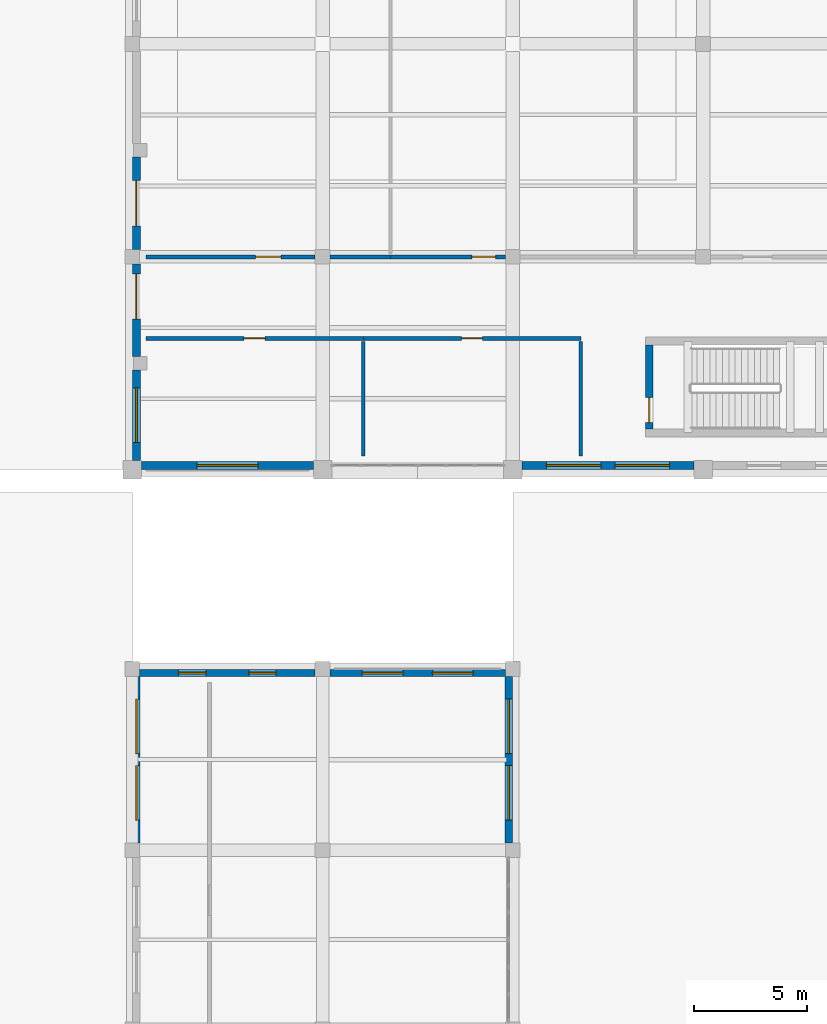
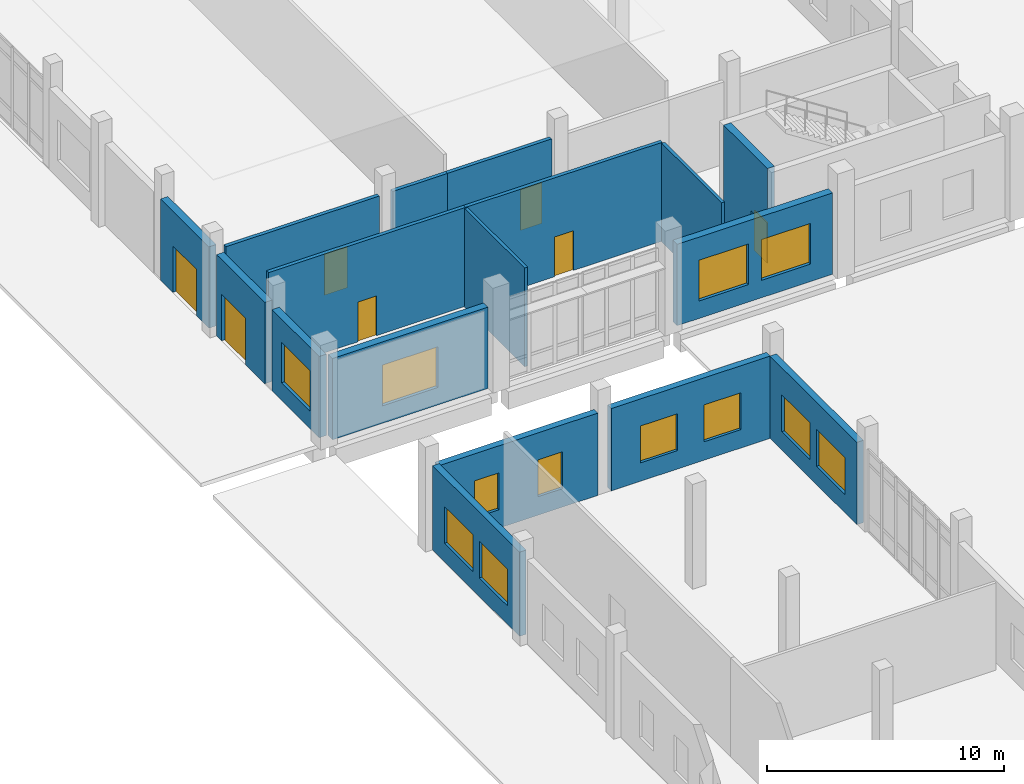
# One storey, part 56 of 79: 17 walls, 12 windows, 7 doors, 19 openings.
"""IFC4 building model written with IfcOpenShell, lengths in metres."""

from ifc_helpers import new_model, si_unit, direction, frame, frame_2d, origin, place, context, subcontext, project, spatial, rectangle, extrude, material, layer, layer_set, type_object, element, fill, save


model = new_model("IFC4")

# Units and contexts
model_context = context("Model", 3, precision=1e-05, world=origin(), true_north=direction((0.0, 1.0)))
body_context = subcontext(model_context, "Body", "Model", "MODEL_VIEW")
ifc_project = project(units=[si_unit("LENGTHUNIT", "METRE"), si_unit("AREAUNIT", "SQUARE_METRE"), si_unit("VOLUMEUNIT", "CUBIC_METRE"), si_unit("PLANEANGLEUNIT", "RADIAN"), si_unit("MASSUNIT", "GRAM", prefix="KILO")], contexts=[model_context])

# Site, building, storey
site_placement = place(None, origin())
site = spatial("IfcSite", under=ifc_project, at=site_placement, CompositionType="ELEMENT")
building_placement = place(site_placement, origin())
building = spatial("IfcBuilding", under=site, at=building_placement, Name="Kelarvand Opera House", CompositionType="ELEMENT")
storey_placement = place(building_placement, origin())
storey = spatial("IfcBuildingStorey", under=building, at=storey_placement, Name="L00", CompositionType="ELEMENT", Elevation=0.0)

# Walls
ifc_material_1 = material(Name="Acoustic double-stud gypsum partition")
ifc_layer_1 = layer(ifc_material_1, 0.14990234375, Name="Acoustic double-stud gypsum partition")
ifc_layer_set_1 = layer_set([ifc_layer_1], Name="Acoustic double-stud gypsum partition")
wall_type_1 = type_object("IfcWallType", Name="Acoustic Room Partition Wall 150", PredefinedType="PARTITIONING", material=ifc_layer_set_1)
for number, where, z_axis, x_axis, name in (
    (1, (19.199951171875, 87.800048828125, 0.0), (0.0, 0.0, 1.0), (0.0, 1.0, 0.0), "V3 L00 Partition Wall IW-150 (284)"),
    (2, (28.800048828125, 87.800048828125, 0.0), (0.0, 0.0, 1.0), (0.0, 1.0, 0.0), "V3 L00 Partition Wall IW-150 (285)"),
):
    element("IfcWall", number, at=place(storey_placement, frame(where, z_axis=z_axis, x_axis=x_axis)), inside=storey, type_object=wall_type_1, Name=name, PredefinedType="PARTITIONING", context=body_context, shape_type="SweptSolid", body=[
        extrude(rectangle(XDim=5.06005859375, YDim=0.14990234375, at=frame_2d((2.530029296875, 0.0))), origin(), (0.0, 0.0, 1.0), 5.092041015625),
    ])

# Wall, opening, window
ifc_material_2 = material(Name="Concrete C35/45", Category="concrete")
ifc_layer_2 = layer(ifc_material_2, 0.360107421875, Name="Concrete C35/45", Category="concrete")
ifc_layer_set_2 = layer_set([ifc_layer_2], Name="Concrete C35/45")
wall_type_2 = type_object("IfcWallType", Name="Azarshahr Travertine Cavity Wall 360", PredefinedType="SOLIDWALL", material=ifc_layer_set_2)
wall_1_placement = place(storey_placement, frame((9.179931640625, 87.610107421875, 0.0), z_axis=(0.0, 0.0, 1.0), x_axis=(0.0, 1.0, 0.0)))
wall_1 = element("IfcWall", 3, at=wall_1_placement, inside=storey, type_object=wall_type_2, Name="V3 L00 Exterior Wall EW-360 (397)", PredefinedType="SOLIDWALL", context=body_context, shape_type="SweptSolid", body=[
    extrude(rectangle(XDim=3.989990234375, YDim=0.360107421875, at=frame_2d((1.9951171875, 0.0))), origin(), (0.0, 0.0, 1.0), 4.19189453125),
])
opening_1_placement = place(wall_1_placement, frame((0.794921875, 0.0, 0.89990234375)))
opening_1 = element("IfcOpeningElement", 4, at=opening_1_placement, cuts=wall_1, Name="Opening WN-07", PredefinedType="OPENING", context=body_context, shape_type="SweptSolid", body=[
    extrude(rectangle(XDim=2.39990234375, YDim=2.10009765625, at=frame_2d((1.199951171875, 1.050048828125))), frame((0.0, 0.18994140625, 0.0), z_axis=(0.0, -1.0, 0.0), x_axis=(1.0, 0.0, 0.0)), (0.0, 0.0, 1.0), 0.380126953125),
])
ifc_material_3 = material(Name="Thermally broken aluminium and low-E double glazing", Category="aluminium")
window_type_1 = type_object("IfcWindowType", Name="Recessed Aluminium Thermal Window 2400x2100 WN-07", PartitioningType="SINGLE_PANEL", PredefinedType="WINDOW", material=ifc_material_3)
window_1_placement = place(opening_1_placement, origin())
window_1 = element("IfcWindow", 5, at=window_1_placement, inside=storey, type_object=window_type_1, Name="V3 L00 Facade Window WN-07 (148)", OverallHeight=2.10009765625, OverallWidth=2.39990234375, PartitioningType="SINGLE_PANEL", PredefinedType="WINDOW", context=body_context, shape_type="SweptSolid", body=[
    extrude(rectangle(XDim=2.39990234375, YDim=2.10009765625, at=frame_2d((1.199951171875, 1.050048828125))), frame((0.0, 0.030029296875, 0.0), z_axis=(0.0, -1.0, 0.0), x_axis=(1.0, 0.0, 0.0)), (0.0, 0.0, 1.0), 0.06005859375),
])
fill(opening_1, window_1)

# Wall, opening, door
wall_2_placement = place(storey_placement, frame((9.179931640625, 92.199951171875, 0.0), z_axis=(0.0, 0.0, 1.0), x_axis=(0.0, 1.0, 0.0)))
wall_2 = element("IfcWall", 6, at=wall_2_placement, inside=storey, type_object=wall_type_2, Name="V3 L00 Exterior Wall EW-360 (398)", PredefinedType="SOLIDWALL", context=body_context, shape_type="SweptSolid", body=[
    extrude(rectangle(XDim=4.074951171875, YDim=0.360107421875, at=frame_2d((2.03759765625, 0.0))), origin(), (0.0, 0.0, 1.0), 4.19189453125),
])
opening_2_placement = place(wall_2_placement, frame((1.64892578125, 0.0, 0.0)))
opening_2 = element("IfcOpeningElement", 7, at=opening_2_placement, cuts=wall_2, Name="Opening EX-200", PredefinedType="OPENING", context=body_context, shape_type="SweptSolid", body=[
    extrude(rectangle(XDim=2.0, YDim=2.39990234375, at=frame_2d((1.0, 1.199951171875))), frame((0.0, 0.18994140625, 0.0), z_axis=(0.0, -1.0, 0.0), x_axis=(1.0, 0.0, 0.0)), (0.0, 0.0, 1.0), 0.380126953125),
])
ifc_material_4 = material(Name="Thermally broken bronze-anodised aluminium and safety glass", Category="aluminium")
door_type_1 = type_object("IfcDoorType", Name="Protected Stair Double Final Exit Door 2000x2400", OperationType="NOTDEFINED", PredefinedType="DOOR", material=ifc_material_4)
door_1_placement = place(opening_2_placement, origin())
door_1 = element("IfcDoor", 8, at=door_1_placement, inside=storey, type_object=door_type_1, Name="V3 Ground Final Exit Door E10", OperationType="DOUBLE_DOOR_SINGLE_SWING", OverallHeight=2.39990234375, OverallWidth=2.0, PredefinedType="DOOR", context=body_context, shape_type="SweptSolid", body=[
    extrude(rectangle(XDim=2.0, YDim=2.39990234375, at=frame_2d((1.0, 1.199951171875))), frame((0.0, 0.02490234375, 0.0), z_axis=(0.0, -1.0, 0.0), x_axis=(1.0, 0.0, 0.0)), (0.0, 0.0, 1.0), 0.050048828125),
])
fill(opening_2, door_1)

wall_3_placement = place(storey_placement, frame((9.179931640625, 96.925048828125, 0.0), z_axis=(0.0, 0.0, 1.0), x_axis=(0.0, 1.0, 0.0)))
wall_3 = element("IfcWall", 9, at=wall_3_placement, inside=storey, type_object=wall_type_2, Name="V3 L00 Exterior Wall EW-360 (399)", PredefinedType="SOLIDWALL", context=body_context, shape_type="SweptSolid", body=[
    extrude(rectangle(XDim=4.074951171875, YDim=0.360107421875, at=frame_2d((2.03759765625, 0.0))), origin(), (0.0, 0.0, 1.0), 4.19189453125),
])
opening_3_placement = place(wall_3_placement, frame((1.0380859375, 0.0, 0.0)))
opening_3 = element("IfcOpeningElement", 10, at=opening_3_placement, cuts=wall_3, Name="Opening EX-200", PredefinedType="OPENING", context=body_context, shape_type="SweptSolid", body=[
    extrude(rectangle(XDim=2.0, YDim=2.39990234375, at=frame_2d((1.0, 1.199951171875))), frame((0.0, 0.18994140625, 0.0), z_axis=(0.0, -1.0, 0.0), x_axis=(1.0, 0.0, 0.0)), (0.0, 0.0, 1.0), 0.380126953125),
])
door_2_placement = place(opening_3_placement, origin())
door_2 = element("IfcDoor", 11, at=door_2_placement, inside=storey, type_object=door_type_1, Name="V3 Ground Final Exit Door E15", OperationType="DOUBLE_DOOR_SINGLE_SWING", OverallHeight=2.39990234375, OverallWidth=2.0, PredefinedType="DOOR", context=body_context, shape_type="SweptSolid", body=[
    extrude(rectangle(XDim=2.0, YDim=2.39990234375, at=frame_2d((1.0, 1.199951171875))), frame((0.0, 0.02490234375, 0.0), z_axis=(0.0, -1.0, 0.0), x_axis=(1.0, 0.0, 0.0)), (0.0, 0.0, 1.0), 0.050048828125),
])
fill(opening_3, door_2)

# Wall, openings, windows
wall_4_placement = place(storey_placement, frame((33.7900390625, 87.3798828125, 0.0), z_axis=(0.0, 0.0, 1.0), x_axis=(-1.0, 0.0, 0.0)))
wall_4 = element("IfcWall", 12, at=wall_4_placement, inside=storey, type_object=wall_type_2, Name="V3 L00 Exterior Wall EW-360 (404)", PredefinedType="SOLIDWALL", context=body_context, shape_type="SweptSolid", body=[
    extrude(rectangle(XDim=7.580078125, YDim=0.360107421875, at=frame_2d((3.7900390625, 0.0))), origin(), (0.0, 0.0, 1.0), 4.19189453125),
])
opening_4_placement = place(wall_4_placement, frame((1.073974609375, 0.0, 0.89990234375)))
opening_4 = element("IfcOpeningElement", 13, at=opening_4_placement, cuts=wall_4, Name="Opening WN-07", PredefinedType="OPENING", context=body_context, shape_type="SweptSolid", body=[
    extrude(rectangle(XDim=2.39990234375, YDim=2.10009765625, at=frame_2d((1.199951171875, 1.050048828125))), frame((0.0, 0.18994140625, 0.0), z_axis=(0.0, -1.0, 0.0), x_axis=(1.0, 0.0, 0.0)), (0.0, 0.0, 1.0), 0.380126953125),
])
opening_5_placement = place(wall_4_placement, frame((4.10595703125, 0.0, 0.89990234375)))
opening_5 = element("IfcOpeningElement", 14, at=opening_5_placement, cuts=wall_4, Name="Opening WN-07", PredefinedType="OPENING", context=body_context, shape_type="SweptSolid", body=[
    extrude(rectangle(XDim=2.39990234375, YDim=2.10009765625, at=frame_2d((1.199951171875, 1.050048828125))), frame((0.0, 0.18994140625, 0.0), z_axis=(0.0, -1.0, 0.0), x_axis=(1.0, 0.0, 0.0)), (0.0, 0.0, 1.0), 0.380126953125),
])
window_2_placement = place(opening_4_placement, origin())
window_2 = element("IfcWindow", 15, at=window_2_placement, inside=storey, type_object=window_type_1, Name="V3 L00 Facade Window WN-07 (153)", OverallHeight=2.10009765625, OverallWidth=2.39990234375, PartitioningType="SINGLE_PANEL", PredefinedType="WINDOW", context=body_context, shape_type="SweptSolid", body=[
    extrude(rectangle(XDim=2.39990234375, YDim=2.10009765625, at=frame_2d((1.199951171875, 1.050048828125))), frame((0.0, 0.030029296875, 0.0), z_axis=(0.0, -1.0, 0.0), x_axis=(1.0, 0.0, 0.0)), (0.0, 0.0, 1.0), 0.06005859375),
])
fill(opening_4, window_2)
window_3_placement = place(opening_5_placement, origin())
window_3 = element("IfcWindow", 16, at=window_3_placement, inside=storey, type_object=window_type_1, Name="V3 L00 Facade Window WN-07 (154)", OverallHeight=2.10009765625, OverallWidth=2.39990234375, PartitioningType="SINGLE_PANEL", PredefinedType="WINDOW", context=body_context, shape_type="SweptSolid", body=[
    extrude(rectangle(XDim=2.39990234375, YDim=2.10009765625, at=frame_2d((1.199951171875, 1.050048828125))), frame((0.0, 0.030029296875, 0.0), z_axis=(0.0, -1.0, 0.0), x_axis=(1.0, 0.0, 0.0)), (0.0, 0.0, 1.0), 0.06005859375),
])
fill(opening_5, window_3)

# Wall, opening, window
wall_5_placement = place(storey_placement, frame((16.989990234375, 87.3798828125, 0.0), z_axis=(0.0, 0.0, 1.0), x_axis=(-1.0, 0.0, 0.0)))
wall_5 = element("IfcWall", 17, at=wall_5_placement, inside=storey, type_object=wall_type_2, Name="V3 L00 Exterior Wall EW-360 (405)", PredefinedType="SOLIDWALL", context=body_context, shape_type="SweptSolid", body=[
    extrude(rectangle(XDim=7.580078125, YDim=0.360107421875, at=frame_2d((3.7900390625, 0.0))), origin(), (0.0, 0.0, 1.0), 4.19189453125),
])
opening_6_placement = place(wall_5_placement, frame((2.43994140625, 0.0, 0.89990234375)))
opening_6 = element("IfcOpeningElement", 18, at=opening_6_placement, cuts=wall_5, Name="Opening WN-08", PredefinedType="OPENING", context=body_context, shape_type="SweptSolid", body=[
    extrude(rectangle(XDim=2.699951171875, YDim=2.10009765625, at=frame_2d((1.35009765625, 1.050048828125))), frame((0.0, 0.18994140625, 0.0), z_axis=(0.0, -1.0, 0.0), x_axis=(1.0, 0.0, 0.0)), (0.0, 0.0, 1.0), 0.380126953125),
])
window_type_2 = type_object("IfcWindowType", Name="Recessed Aluminium Thermal Window 2700x2100 WN-08", PartitioningType="SINGLE_PANEL", PredefinedType="WINDOW", material=ifc_material_3)
window_4_placement = place(opening_6_placement, origin())
window_4 = element("IfcWindow", 19, at=window_4_placement, inside=storey, type_object=window_type_2, Name="V3 L00 Facade Window WN-08 (155)", OverallHeight=2.10009765625, OverallWidth=2.699951171875, PartitioningType="SINGLE_PANEL", PredefinedType="WINDOW", context=body_context, shape_type="SweptSolid", body=[
    extrude(rectangle(XDim=2.699951171875, YDim=2.10009765625, at=frame_2d((1.35009765625, 1.050048828125))), frame((0.0, 0.030029296875, 0.0), z_axis=(0.0, -1.0, 0.0), x_axis=(1.0, 0.0, 0.0)), (0.0, 0.0, 1.0), 0.06005859375),
])
fill(opening_6, window_4)

# Wall, opening, door
ifc_material_5 = material(Name="Concrete C40/50", Category="concrete")
ifc_layer_3 = layer(ifc_material_5, 0.35009765625, Name="Concrete C40/50", Category="concrete")
ifc_layer_set_3 = layer_set([ifc_layer_3], Name="Concrete C40/50")
wall_type_3 = type_object("IfcWallType", Name="Core Stair and Lift Shear Wall 350", PredefinedType="SHEAR", material=ifc_layer_set_3)
wall_6_placement = place(storey_placement, frame((31.824951171875, 89.0, 0.0), z_axis=(0.0, 0.0, 1.0), x_axis=(0.0, 1.0, 0.0)))
wall_6 = element("IfcWall", 20, at=wall_6_placement, inside=storey, type_object=wall_type_3, Name="C5 Stair Core Shear Wall W L00", PredefinedType="SHEAR", context=body_context, shape_type="SweptSolid", body=[
    extrude(rectangle(XDim=3.699951171875, YDim=0.35009765625, at=frame_2d((1.85009765625, 0.0))), origin(), (0.0, 0.0, 1.0), 5.10009765625),
])
opening_7_placement = place(wall_6_placement, frame((0.280029296875, 0.0, 0.0)))
opening_7 = element("IfcOpeningElement", 21, at=opening_7_placement, cuts=wall_6, Name="Opening FD-01", PredefinedType="OPENING", context=body_context, shape_type="SweptSolid", body=[
    extrude(rectangle(XDim=1.10009765625, YDim=2.080078125, at=frame_2d((0.550048828125, 1.0400390625))), frame((0.0, 0.18505859375, 0.0), z_axis=(0.0, -1.0, 0.0), x_axis=(1.0, 0.0, 0.0)), (0.0, 0.0, 1.0), 0.3701171875),
])
ifc_material_6 = material(Name="Fire-rated brushed stainless steel", Category="steel")
door_type_2 = type_object("IfcDoorType", Name="Steel Fire-Rated Stair and FF Lobby Door 1100x2080", OperationType="NOTDEFINED", PredefinedType="DOOR", material=ifc_material_6)
door_3_placement = place(opening_7_placement, origin())
door_3 = element("IfcDoor", 22, at=door_3_placement, inside=storey, type_object=door_type_2, Name="C5 Stair ST-05 Fire Door L00", OperationType="SINGLE_SWING_RIGHT", OverallHeight=2.080078125, OverallWidth=1.10009765625, PredefinedType="DOOR", context=body_context, shape_type="SweptSolid", body=[
    extrude(rectangle(XDim=1.10009765625, YDim=2.080078125, at=frame_2d((0.550048828125, 1.0400390625))), frame((0.0, 0.02490234375, 0.0), z_axis=(0.0, -1.0, 0.0), x_axis=(1.0, 0.0, 0.0)), (0.0, 0.0, 1.0), 0.050048828125),
])
fill(opening_7, door_3)

ifc_layer_4 = layer(ifc_material_2, 0.179931640625, Name="Concrete C35/45", Category="concrete")
ifc_layer_set_4 = layer_set([ifc_layer_4], Name="Concrete C35/45")
wall_type_4 = type_object("IfcWallType", Name="Corridor Fire-Rated Partition Wall 180 EI90", PredefinedType="PARTITIONING", material=ifc_layer_set_4)
wall_7_placement = place(storey_placement, frame((9.60009765625, 96.60009765625, 0.0), z_axis=(0.0, 0.0, 1.0), x_axis=(1.0, 0.0, 0.0)))
wall_7 = element("IfcWall", 23, at=wall_7_placement, inside=storey, type_object=wall_type_4, Name="V3 L00 Partition Wall IW-90 (275)", PredefinedType="PARTITIONING", context=body_context, shape_type="SweptSolid", body=[
    extrude(rectangle(XDim=7.474853515625, YDim=0.179931640625, at=frame_2d((3.7373046875, 0.0))), origin(), (0.0, 0.0, 1.0), 4.241943359375),
])
opening_8_placement = place(wall_7_placement, frame((4.840087890625, 0.0, 0.0)))
opening_8 = element("IfcOpeningElement", 24, at=opening_8_placement, cuts=wall_7, Name="Opening D-10", PredefinedType="OPENING", context=body_context, shape_type="SweptSolid", body=[
    extrude(rectangle(XDim=1.1201171875, YDim=2.1201171875, at=frame_2d((0.56005859375, 1.06005859375))), frame((0.0, 0.10009765625, 0.0), z_axis=(0.0, -1.0, 0.0), x_axis=(1.0, 0.0, 0.0)), (0.0, 0.0, 1.0), 0.199951171875),
])
ifc_material_7 = material(Name="Acoustic walnut-veneered hardwood", Category="wood")
door_type_3 = type_object("IfcDoorType", Name="Chorus Studio Single Door 1120x2120", OperationType="NOTDEFINED", PredefinedType="DOOR", material=ifc_material_7)
door_4_placement = place(opening_8_placement, origin())
door_4 = element("IfcDoor", 25, at=door_4_placement, inside=storey, type_object=door_type_3, Name="V3 L00 Door D-10 (119)", OperationType="SINGLE_SWING_LEFT", OverallHeight=2.1201171875, OverallWidth=1.1201171875, PredefinedType="DOOR", context=body_context, shape_type="SweptSolid", body=[
    extrude(rectangle(XDim=1.1201171875, YDim=2.1201171875, at=frame_2d((0.56005859375, 1.06005859375))), frame((0.0, 0.02490234375, 0.0), z_axis=(0.0, -1.0, 0.0), x_axis=(1.0, 0.0, 0.0)), (0.0, 0.0, 1.0), 0.050048828125),
])
fill(opening_8, door_4)

# Wall
wall_8_placement = place(storey_placement, frame((17.72509765625, 96.60009765625, 0.0), z_axis=(0.0, 0.0, 1.0), x_axis=(1.0, 0.0, 0.0)))
element("IfcWall", 26, at=wall_8_placement, inside=storey, type_object=wall_type_4, Name="V3 L00 Partition Wall IW-90 (276)", PredefinedType="PARTITIONING", context=body_context, shape_type="SweptSolid", body=[
    extrude(rectangle(XDim=2.6748046875, YDim=0.179931640625, at=frame_2d((1.33740234375, 0.0))), origin(), (0.0, 0.0, 1.0), 4.241943359375),
])

# Wall, opening, door
wall_9_placement = place(storey_placement, frame((20.39990234375, 96.60009765625, 0.0), z_axis=(0.0, 0.0, 1.0), x_axis=(1.0, 0.0, 0.0)))
wall_9 = element("IfcWall", 27, at=wall_9_placement, inside=storey, type_object=wall_type_4, Name="V3 L00 Partition Wall IW-90 (278)", PredefinedType="PARTITIONING", context=body_context, shape_type="SweptSolid", body=[
    extrude(rectangle(XDim=5.0751953125, YDim=0.179931640625, at=frame_2d((2.53759765625, 0.0))), origin(), (0.0, 0.0, 1.0), 4.241943359375),
])
opening_9_placement = place(wall_9_placement, frame((3.593994140625, 0.0, 0.0)))
opening_9 = element("IfcOpeningElement", 28, at=opening_9_placement, cuts=wall_9, Name="Opening D-02", PredefinedType="OPENING", context=body_context, shape_type="SweptSolid", body=[
    extrude(rectangle(XDim=1.050048828125, YDim=2.10009765625, at=frame_2d((0.52490234375, 1.050048828125))), frame((0.0, 0.10009765625, 0.0), z_axis=(0.0, -1.0, 0.0), x_axis=(1.0, 0.0, 0.0)), (0.0, 0.0, 1.0), 0.199951171875),
])
door_type_4 = type_object("IfcDoorType", Name="Acoustic Studio Single Door 1050x2100", OperationType="NOTDEFINED", PredefinedType="DOOR", material=ifc_material_7)
door_5_placement = place(opening_9_placement, origin())
door_5 = element("IfcDoor", 29, at=door_5_placement, inside=storey, type_object=door_type_4, Name="V3 L00 Door D-02 (120)", OperationType="SINGLE_SWING_RIGHT", OverallHeight=2.10009765625, OverallWidth=1.050048828125, PredefinedType="DOOR", context=body_context, shape_type="SweptSolid", body=[
    extrude(rectangle(XDim=1.050048828125, YDim=2.10009765625, at=frame_2d((0.52490234375, 1.050048828125))), frame((0.0, 0.02490234375, 0.0), z_axis=(0.0, -1.0, 0.0), x_axis=(1.0, 0.0, 0.0)), (0.0, 0.0, 1.0), 0.050048828125),
])
fill(opening_9, door_5)

wall_10_placement = place(storey_placement, frame((9.60009765625, 93.0, 0.0), z_axis=(0.0, 0.0, 1.0), x_axis=(1.0, 0.0, 0.0)))
wall_10 = element("IfcWall", 30, at=wall_10_placement, inside=storey, type_object=wall_type_4, Name="V3 L00 Partition Wall IW-90 (283)", PredefinedType="PARTITIONING", context=body_context, shape_type="SweptSolid", body=[
    extrude(rectangle(XDim=9.599853515625, YDim=0.179931640625, at=frame_2d((4.7998046875, 0.0))), origin(), (0.0, 0.0, 1.0), 5.092041015625),
])
opening_10_placement = place(wall_10_placement, frame((4.340087890625, 0.0, 0.0)))
opening_10 = element("IfcOpeningElement", 31, at=opening_10_placement, cuts=wall_10, Name="Opening D-01", PredefinedType="OPENING", context=body_context, shape_type="SweptSolid", body=[
    extrude(rectangle(XDim=0.919921875, YDim=2.050048828125, at=frame_2d((0.4599609375, 1.02490234375))), frame((0.0, 0.10009765625, 0.0), z_axis=(0.0, -1.0, 0.0), x_axis=(1.0, 0.0, 0.0)), (0.0, 0.0, 1.0), 0.199951171875),
])
door_type_5 = type_object("IfcDoorType", Name="Solid Timber Dressing and WC Door 920x2050", OperationType="NOTDEFINED", PredefinedType="DOOR", material=ifc_material_7)
door_6_placement = place(opening_10_placement, origin())
door_6 = element("IfcDoor", 32, at=door_6_placement, inside=storey, type_object=door_type_5, Name="V3 L00 Door D-01 (122)", OperationType="SINGLE_SWING_RIGHT", OverallHeight=2.050048828125, OverallWidth=0.919921875, PredefinedType="DOOR", context=body_context, shape_type="SweptSolid", body=[
    extrude(rectangle(XDim=0.919921875, YDim=2.050048828125, at=frame_2d((0.4599609375, 1.02490234375))), frame((0.0, 0.02490234375, 0.0), z_axis=(0.0, -1.0, 0.0), x_axis=(1.0, 0.0, 0.0)), (0.0, 0.0, 1.0), 0.050048828125),
])
fill(opening_10, door_6)

wall_11_placement = place(storey_placement, frame((19.199951171875, 93.0, 0.0), z_axis=(0.0, 0.0, 1.0), x_axis=(1.0, 0.0, 0.0)))
wall_11 = element("IfcWall", 33, at=wall_11_placement, inside=storey, type_object=wall_type_4, Name="V3 L00 Partition Wall IW-90 (286)", PredefinedType="PARTITIONING", context=body_context, shape_type="SweptSolid", body=[
    extrude(rectangle(XDim=9.60009765625, YDim=0.179931640625, at=frame_2d((4.800048828125, 0.0))), origin(), (0.0, 0.0, 1.0), 5.092041015625),
])
opening_11_placement = place(wall_11_placement, frame((4.340087890625, 0.0, 0.0)))
opening_11 = element("IfcOpeningElement", 34, at=opening_11_placement, cuts=wall_11, Name="Opening D-01", PredefinedType="OPENING", context=body_context, shape_type="SweptSolid", body=[
    extrude(rectangle(XDim=0.919921875, YDim=2.050048828125, at=frame_2d((0.4599609375, 1.02490234375))), frame((0.0, 0.10009765625, 0.0), z_axis=(0.0, -1.0, 0.0), x_axis=(1.0, 0.0, 0.0)), (0.0, 0.0, 1.0), 0.199951171875),
])
door_7_placement = place(opening_11_placement, origin())
door_7 = element("IfcDoor", 35, at=door_7_placement, inside=storey, type_object=door_type_5, Name="V3 L00 Door D-01 (123)", OperationType="SINGLE_SWING_LEFT", OverallHeight=2.050048828125, OverallWidth=0.919921875, PredefinedType="DOOR", context=body_context, shape_type="SweptSolid", body=[
    extrude(rectangle(XDim=0.919921875, YDim=2.050048828125, at=frame_2d((0.4599609375, 1.02490234375))), frame((0.0, 0.02490234375, 0.0), z_axis=(0.0, -1.0, 0.0), x_axis=(1.0, 0.0, 0.0)), (0.0, 0.0, 1.0), 0.050048828125),
])
fill(opening_11, door_7)

# Wall, openings, windows
ifc_layer_5 = layer(ifc_material_2, 0.320068359375, Name="Concrete C35/45", Category="concrete")
ifc_layer_set_5 = layer_set([ifc_layer_5], Name="Concrete C35/45")
wall_type_5 = type_object("IfcWallType", Name="Insulated Buff Brick Cavity Wall 320", PredefinedType="SOLIDWALL", material=ifc_layer_set_5)
wall_12_placement = place(storey_placement, frame((9.179931640625, 70.72509765625, 0.0), z_axis=(0.0, 0.0, 1.0), x_axis=(0.0, 1.0, 0.0)))
wall_12 = element("IfcWall", 36, at=wall_12_placement, inside=storey, type_object=wall_type_5, Name="V4 L00 Exterior Wall EW-320 (523)", PredefinedType="SOLIDWALL", context=body_context, shape_type="SweptSolid", body=[
    extrude(rectangle(XDim=7.349853515625, YDim=0.320068359375, at=frame_2d((3.6748046875, 0.0))), origin(), (0.0, 0.0, 1.0), 4.342041015625),
])
opening_12_placement = place(wall_12_placement, frame((1.0048828125, 0.0, 0.949951171875)))
opening_12 = element("IfcOpeningElement", 37, at=opening_12_placement, cuts=wall_12, Name="Opening WN-14", PredefinedType="OPENING", context=body_context, shape_type="SweptSolid", body=[
    extrude(rectangle(XDim=2.39990234375, YDim=1.89990234375, at=frame_2d((1.199951171875, 0.949951171875))), frame((0.0, 0.169921875, 0.0), z_axis=(0.0, -1.0, 0.0), x_axis=(1.0, 0.0, 0.0)), (0.0, 0.0, 1.0), 0.340087890625),
])
opening_13_placement = place(wall_12_placement, frame((3.945068359375, 0.0, 0.949951171875)))
opening_13 = element("IfcOpeningElement", 38, at=opening_13_placement, cuts=wall_12, Name="Opening WN-14", PredefinedType="OPENING", context=body_context, shape_type="SweptSolid", body=[
    extrude(rectangle(XDim=2.39990234375, YDim=1.89990234375, at=frame_2d((1.199951171875, 0.949951171875))), frame((0.0, 0.169921875, 0.0), z_axis=(0.0, -1.0, 0.0), x_axis=(1.0, 0.0, 0.0)), (0.0, 0.0, 1.0), 0.340087890625),
])
window_type_3 = type_object("IfcWindowType", Name="Recessed Aluminium Thermal Window 2400x1900 WN-14", PartitioningType="SINGLE_PANEL", PredefinedType="WINDOW", material=ifc_material_3)
window_5_placement = place(opening_12_placement, origin())
window_5 = element("IfcWindow", 39, at=window_5_placement, inside=storey, type_object=window_type_3, Name="V4 L00 Facade Window WN-14 (224)", OverallHeight=1.89990234375, OverallWidth=2.39990234375, PartitioningType="SINGLE_PANEL", PredefinedType="WINDOW", context=body_context, shape_type="SweptSolid", body=[
    extrude(rectangle(XDim=2.39990234375, YDim=1.89990234375, at=frame_2d((1.199951171875, 0.949951171875))), frame((0.0, 0.030029296875, 0.0), z_axis=(0.0, -1.0, 0.0), x_axis=(1.0, 0.0, 0.0)), (0.0, 0.0, 1.0), 0.06005859375),
])
fill(opening_12, window_5)
window_6_placement = place(opening_13_placement, origin())
window_6 = element("IfcWindow", 40, at=window_6_placement, inside=storey, type_object=window_type_3, Name="V4 L00 Facade Window WN-14 (225)", OverallHeight=1.89990234375, OverallWidth=2.39990234375, PartitioningType="SINGLE_PANEL", PredefinedType="WINDOW", context=body_context, shape_type="SweptSolid", body=[
    extrude(rectangle(XDim=2.39990234375, YDim=1.89990234375, at=frame_2d((1.199951171875, 0.949951171875))), frame((0.0, 0.030029296875, 0.0), z_axis=(0.0, -1.0, 0.0), x_axis=(1.0, 0.0, 0.0)), (0.0, 0.0, 1.0), 0.06005859375),
])
fill(opening_13, window_6)

wall_13_placement = place(storey_placement, frame((9.324951171875, 78.219970703125, 0.0), z_axis=(0.0, 0.0, 1.0), x_axis=(1.0, 0.0, 0.0)))
wall_13 = element("IfcWall", 41, at=wall_13_placement, inside=storey, type_object=wall_type_5, Name="V4 L00 Exterior Wall EW-320 (524)", PredefinedType="SOLIDWALL", context=body_context, shape_type="SweptSolid", body=[
    extrude(rectangle(XDim=7.75, YDim=0.320068359375, at=frame_2d((3.875, 0.0))), origin(), (0.0, 0.0, 1.0), 4.241943359375),
])
opening_14_placement = place(wall_13_placement, frame((1.72509765625, 0.0, 0.949951171875)))
opening_14 = element("IfcOpeningElement", 42, at=opening_14_placement, cuts=wall_13, Name="Opening WN-10", PredefinedType="OPENING", context=body_context, shape_type="SweptSolid", body=[
    extrude(rectangle(XDim=1.199951171875, YDim=1.89990234375, at=frame_2d((0.60009765625, 0.949951171875))), frame((0.0, 0.169921875, 0.0), z_axis=(0.0, -1.0, 0.0), x_axis=(1.0, 0.0, 0.0)), (0.0, 0.0, 1.0), 0.340087890625),
])
opening_15_placement = place(wall_13_placement, frame((4.824951171875, 0.0, 0.949951171875)))
opening_15 = element("IfcOpeningElement", 43, at=opening_15_placement, cuts=wall_13, Name="Opening WN-10", PredefinedType="OPENING", context=body_context, shape_type="SweptSolid", body=[
    extrude(rectangle(XDim=1.199951171875, YDim=1.89990234375, at=frame_2d((0.60009765625, 0.949951171875))), frame((0.0, 0.169921875, 0.0), z_axis=(0.0, -1.0, 0.0), x_axis=(1.0, 0.0, 0.0)), (0.0, 0.0, 1.0), 0.340087890625),
])
window_type_4 = type_object("IfcWindowType", Name="Recessed Aluminium Thermal Window 1200x1900 WN-10", PartitioningType="SINGLE_PANEL", PredefinedType="WINDOW", material=ifc_material_3)
window_7_placement = place(opening_14_placement, origin())
window_7 = element("IfcWindow", 44, at=window_7_placement, inside=storey, type_object=window_type_4, Name="V4 L00 Facade Window WN-10 (226)", OverallHeight=1.89990234375, OverallWidth=1.199951171875, PartitioningType="SINGLE_PANEL", PredefinedType="WINDOW", context=body_context, shape_type="SweptSolid", body=[
    extrude(rectangle(XDim=1.199951171875, YDim=1.89990234375, at=frame_2d((0.60009765625, 0.949951171875))), frame((0.0, 0.030029296875, 0.0), z_axis=(0.0, -1.0, 0.0), x_axis=(1.0, 0.0, 0.0)), (0.0, 0.0, 1.0), 0.06005859375),
])
fill(opening_14, window_7)
window_8_placement = place(opening_15_placement, origin())
window_8 = element("IfcWindow", 45, at=window_8_placement, inside=storey, type_object=window_type_4, Name="V4 L00 Facade Window WN-10 (227)", OverallHeight=1.89990234375, OverallWidth=1.199951171875, PartitioningType="SINGLE_PANEL", PredefinedType="WINDOW", context=body_context, shape_type="SweptSolid", body=[
    extrude(rectangle(XDim=1.199951171875, YDim=1.89990234375, at=frame_2d((0.60009765625, 0.949951171875))), frame((0.0, 0.030029296875, 0.0), z_axis=(0.0, -1.0, 0.0), x_axis=(1.0, 0.0, 0.0)), (0.0, 0.0, 1.0), 0.06005859375),
])
fill(opening_15, window_8)

wall_14_placement = place(storey_placement, frame((17.72509765625, 78.219970703125, 0.0), z_axis=(0.0, 0.0, 1.0), x_axis=(1.0, 0.0, 0.0)))
wall_14 = element("IfcWall", 46, at=wall_14_placement, inside=storey, type_object=wall_type_5, Name="V4 L00 Exterior Wall EW-320 (525)", PredefinedType="SOLIDWALL", context=body_context, shape_type="SweptSolid", body=[
    extrude(rectangle(XDim=7.75, YDim=0.320068359375, at=frame_2d((3.875, 0.0))), origin(), (0.0, 0.0, 1.0), 4.241943359375),
])
opening_16_placement = place(wall_14_placement, frame((1.425048828125, 0.0, 0.949951171875)))
opening_16 = element("IfcOpeningElement", 47, at=opening_16_placement, cuts=wall_14, Name="Opening WN-12", PredefinedType="OPENING", context=body_context, shape_type="SweptSolid", body=[
    extrude(rectangle(XDim=1.800048828125, YDim=1.89990234375, at=frame_2d((0.89990234375, 0.949951171875))), frame((0.0, 0.169921875, 0.0), z_axis=(0.0, -1.0, 0.0), x_axis=(1.0, 0.0, 0.0)), (0.0, 0.0, 1.0), 0.340087890625),
])
opening_17_placement = place(wall_14_placement, frame((4.52490234375, 0.0, 0.949951171875)))
opening_17 = element("IfcOpeningElement", 48, at=opening_17_placement, cuts=wall_14, Name="Opening WN-12", PredefinedType="OPENING", context=body_context, shape_type="SweptSolid", body=[
    extrude(rectangle(XDim=1.800048828125, YDim=1.89990234375, at=frame_2d((0.89990234375, 0.949951171875))), frame((0.0, 0.169921875, 0.0), z_axis=(0.0, -1.0, 0.0), x_axis=(1.0, 0.0, 0.0)), (0.0, 0.0, 1.0), 0.340087890625),
])
window_type_5 = type_object("IfcWindowType", Name="Recessed Aluminium Thermal Window 1800x1900 WN-12", PartitioningType="SINGLE_PANEL", PredefinedType="WINDOW", material=ifc_material_3)
window_9_placement = place(opening_16_placement, origin())
window_9 = element("IfcWindow", 49, at=window_9_placement, inside=storey, type_object=window_type_5, Name="V4 L00 Facade Window WN-12 (228)", OverallHeight=1.89990234375, OverallWidth=1.800048828125, PartitioningType="SINGLE_PANEL", PredefinedType="WINDOW", context=body_context, shape_type="SweptSolid", body=[
    extrude(rectangle(XDim=1.800048828125, YDim=1.89990234375, at=frame_2d((0.89990234375, 0.949951171875))), frame((0.0, 0.030029296875, 0.0), z_axis=(0.0, -1.0, 0.0), x_axis=(1.0, 0.0, 0.0)), (0.0, 0.0, 1.0), 0.06005859375),
])
fill(opening_16, window_9)
window_10_placement = place(opening_17_placement, origin())
window_10 = element("IfcWindow", 50, at=window_10_placement, inside=storey, type_object=window_type_5, Name="V4 L00 Facade Window WN-12 (229)", OverallHeight=1.89990234375, OverallWidth=1.800048828125, PartitioningType="SINGLE_PANEL", PredefinedType="WINDOW", context=body_context, shape_type="SweptSolid", body=[
    extrude(rectangle(XDim=1.800048828125, YDim=1.89990234375, at=frame_2d((0.89990234375, 0.949951171875))), frame((0.0, 0.030029296875, 0.0), z_axis=(0.0, -1.0, 0.0), x_axis=(1.0, 0.0, 0.0)), (0.0, 0.0, 1.0), 0.06005859375),
])
fill(opening_17, window_10)

wall_15_placement = place(storey_placement, frame((25.6201171875, 78.074951171875, 0.0), z_axis=(0.0, 0.0, 1.0), x_axis=(0.0, -1.0, 0.0)))
wall_15 = element("IfcWall", 51, at=wall_15_placement, inside=storey, type_object=wall_type_5, Name="V4 L00 Exterior Wall EW-320 (526)", PredefinedType="SOLIDWALL", context=body_context, shape_type="SweptSolid", body=[
    extrude(rectangle(XDim=7.349853515625, YDim=0.320068359375, at=frame_2d((3.6748046875, 0.0))), origin(), (0.0, 0.0, 1.0), 4.241943359375),
])
opening_18_placement = place(wall_15_placement, frame((1.0048828125, 0.0, 0.949951171875)))
opening_18 = element("IfcOpeningElement", 52, at=opening_18_placement, cuts=wall_15, Name="Opening WN-14", PredefinedType="OPENING", context=body_context, shape_type="SweptSolid", body=[
    extrude(rectangle(XDim=2.39990234375, YDim=1.89990234375, at=frame_2d((1.199951171875, 0.949951171875))), frame((0.0, 0.169921875, 0.0), z_axis=(0.0, -1.0, 0.0), x_axis=(1.0, 0.0, 0.0)), (0.0, 0.0, 1.0), 0.340087890625),
])
opening_19_placement = place(wall_15_placement, frame((3.945068359375, 0.0, 0.949951171875)))
opening_19 = element("IfcOpeningElement", 53, at=opening_19_placement, cuts=wall_15, Name="Opening WN-14", PredefinedType="OPENING", context=body_context, shape_type="SweptSolid", body=[
    extrude(rectangle(XDim=2.39990234375, YDim=1.89990234375, at=frame_2d((1.199951171875, 0.949951171875))), frame((0.0, 0.169921875, 0.0), z_axis=(0.0, -1.0, 0.0), x_axis=(1.0, 0.0, 0.0)), (0.0, 0.0, 1.0), 0.340087890625),
])
window_11_placement = place(opening_18_placement, origin())
window_11 = element("IfcWindow", 54, at=window_11_placement, inside=storey, type_object=window_type_3, Name="V4 L00 Facade Window WN-14 (230)", OverallHeight=1.89990234375, OverallWidth=2.39990234375, PartitioningType="SINGLE_PANEL", PredefinedType="WINDOW", context=body_context, shape_type="SweptSolid", body=[
    extrude(rectangle(XDim=2.39990234375, YDim=1.89990234375, at=frame_2d((1.199951171875, 0.949951171875))), frame((0.0, 0.030029296875, 0.0), z_axis=(0.0, -1.0, 0.0), x_axis=(1.0, 0.0, 0.0)), (0.0, 0.0, 1.0), 0.06005859375),
])
fill(opening_18, window_11)
window_12_placement = place(opening_19_placement, origin())
window_12 = element("IfcWindow", 55, at=window_12_placement, inside=storey, type_object=window_type_3, Name="V4 L00 Facade Window WN-14 (231)", OverallHeight=1.89990234375, OverallWidth=2.39990234375, PartitioningType="SINGLE_PANEL", PredefinedType="WINDOW", context=body_context, shape_type="SweptSolid", body=[
    extrude(rectangle(XDim=2.39990234375, YDim=1.89990234375, at=frame_2d((1.199951171875, 0.949951171875))), frame((0.0, 0.030029296875, 0.0), z_axis=(0.0, -1.0, 0.0), x_axis=(1.0, 0.0, 0.0)), (0.0, 0.0, 1.0), 0.06005859375),
])
fill(opening_19, window_12)

save(model, "model.ifc")
